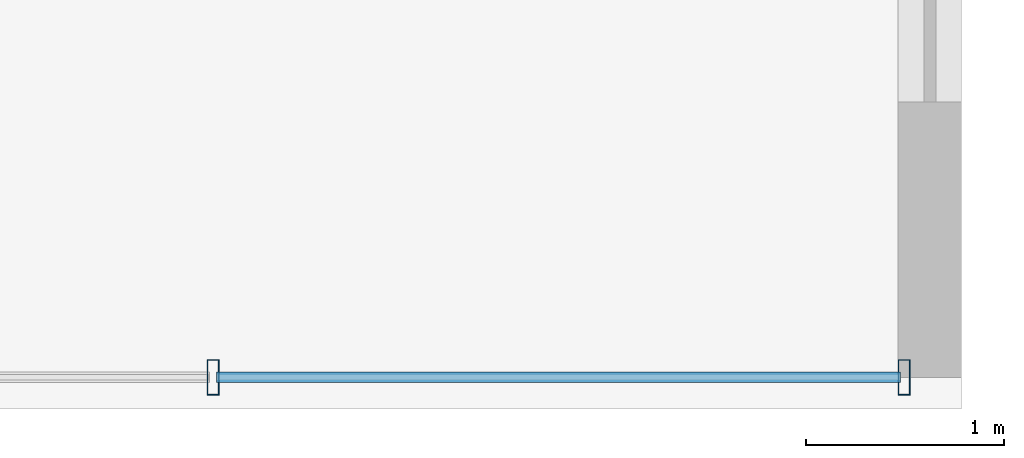
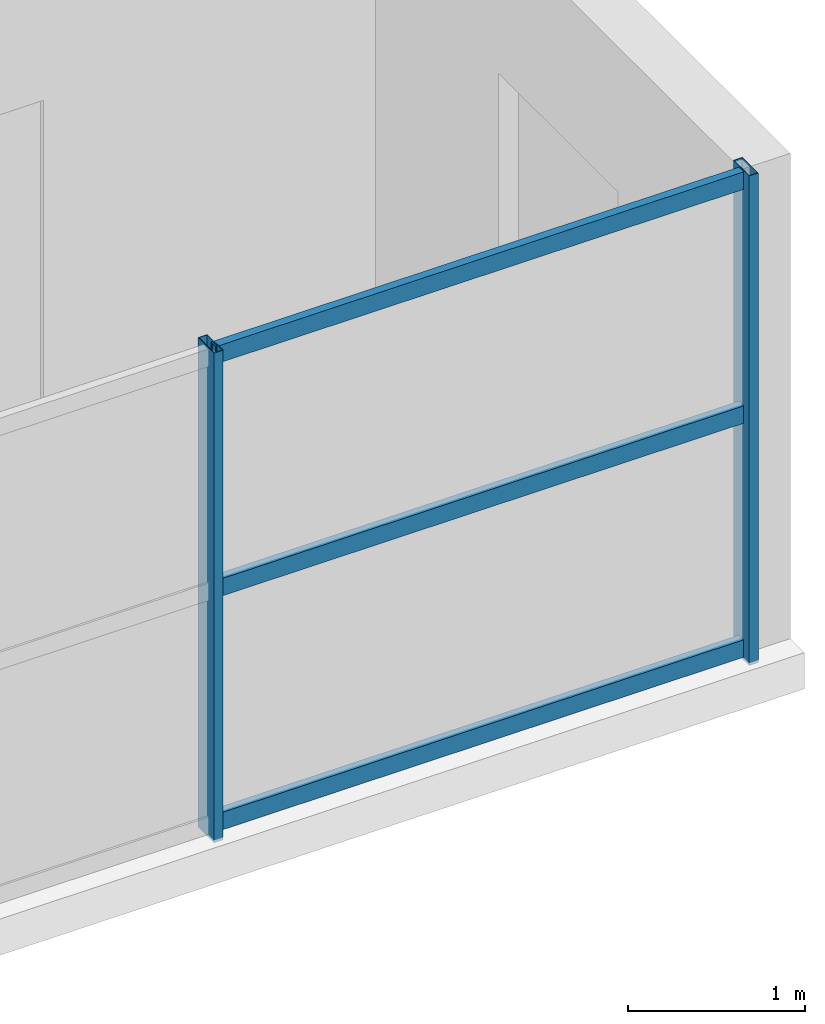
# One storey, part 4 of 12: 5 members, 1 element without a shape of its own.
"""IFC4 building model written with IfcOpenShell, lengths in metres."""

from ifc_helpers import new_model, si_unit, direction, frame, origin, origin_2d, place, context, subcontext, project, spatial, hollow_rectangle, extrude, source, transform, mapped, material, material_profile, profile_set, type_object, element, aggregate, save


model = new_model("IFC4")

# Units and contexts
model_context = context("Model", 3, precision=1e-05, world=origin(), true_north=direction((0.0, 1.0)))
body_context = subcontext(model_context, "Body", "Model", "MODEL_VIEW")
ifc_project = project(units=[si_unit("LENGTHUNIT", "METRE"), si_unit("AREAUNIT", "SQUARE_METRE"), si_unit("VOLUMEUNIT", "CUBIC_METRE"), si_unit("PLANEANGLEUNIT", "RADIAN"), si_unit("MASSUNIT", "GRAM", prefix="KILO")], contexts=[model_context])

# Site, building, storey
site_placement = place(None, origin())
site = spatial("IfcSite", under=ifc_project, at=site_placement, CompositionType="ELEMENT")
building_placement = place(site_placement, origin())
building = spatial("IfcBuilding", under=site, at=building_placement, Name="Tlacorven Tower", CompositionType="ELEMENT")
storey_placement = place(building_placement, frame((0.0, 0.0, 288.0)))
storey = spatial("IfcBuildingStorey", under=building, at=storey_placement, Name="L73", CompositionType="ELEMENT", Elevation=288.0)

# Curtain wall, members
ifc_material_1 = material(Name="Dark solar low-E double glazing in aluminium frame", Category="aluminium")
curtain_wall_type = type_object("IfcCurtainWallType", Name="CW-TWR-HIGH", PredefinedType="USERDEFINED", material=ifc_material_1)
curtain_wall_placement = place(storey_placement, origin())
curtain_wall = element("IfcCurtainWall", 1, at=curtain_wall_placement, inside=storey, type_object=curtain_wall_type, Name="L73 CW-TWR-HIGH Curtain Wall 339", ObjectType="UNITISED CURTAIN WALL", PredefinedType="USERDEFINED")
ifc_material_2 = material(Name="Aluminium 6063-T6 anodised", Category="aluminium")
ifc_material_profile_1 = material_profile(ifc_material_2, hollow_rectangle(XDim=0.06005859375, YDim=0.179931640625, WallThickness=0.00390625, at=origin_2d()), Name="ALU MULLION 60X180")
ifc_profile_set_1 = profile_set([ifc_material_profile_1], Name="Aluminium 6063-T6 anodised")
member_type_1 = type_object("IfcMemberType", Name="CWM-03", PredefinedType="MULLION", material=ifc_profile_set_1)
shared_shape_1 = source(origin(), body_context, "Body", "SweptSolid", [
    extrude(hollow_rectangle(XDim=0.06005859375, YDim=0.179931640625, WallThickness=0.00390625, at=origin_2d()), origin(), (0.0, 0.0, 1.0), 3.380126953125),
])
member_1_placement = place(storey_placement, frame((43.909912109375, 1.9599609375, -0.02001953125), z_axis=(0.0, 0.0, 1.0), x_axis=(-1.0, 0.0, 0.0)))
member_1 = element("IfcMember", 2, at=member_1_placement, type_object=member_type_1, Name="CW-L73-339 Mullion 1", PredefinedType="MULLION", context=body_context, shape_type="MappedRepresentation", body=[
    mapped(shared_shape_1, transform((0.0, 0.0, 0.0), scale=1.0)),
])
member_2_placement = place(storey_placement, frame((40.41552734375, 1.9599609375, -0.02001953125), z_axis=(0.0, 0.0, 1.0), x_axis=(-1.0, 0.0, 0.0)))
member_2 = element("IfcMember", 3, at=member_2_placement, type_object=member_type_1, Name="CW-L73-339 Mullion 2", PredefinedType="MULLION", context=body_context, shape_type="MappedRepresentation", body=[
    mapped(shared_shape_1, transform((0.0, 0.0, 0.0), scale=1.0)),
])
ifc_material_profile_2 = material_profile(ifc_material_2, hollow_rectangle(XDim=0.054931640625, YDim=0.1201171875, WallThickness=0.00341796875, at=origin_2d()), Name="ALU TRANSOM 55X120")
ifc_profile_set_2 = profile_set([ifc_material_profile_2], Name="Aluminium 6063-T6 anodised")
member_type_2 = type_object("IfcMemberType", Name="CWT-03", PredefinedType="USERDEFINED", material=ifc_profile_set_2)
shared_shape_2 = source(origin(), body_context, "Body", "SweptSolid", [
    extrude(hollow_rectangle(XDim=0.054931640625, YDim=0.1201171875, WallThickness=0.00341796875, at=origin_2d()), origin(), (0.0, 0.0, 1.0), 3.458740234375),
])
member_3_placement = place(storey_placement, frame((43.89208984375, 1.9599609375, 0.06005859375), z_axis=(-1.0, 0.0, 0.0), x_axis=(0.0, -1.0, 0.0)))
member_3 = element("IfcMember", 4, at=member_3_placement, type_object=member_type_2, Name="CW-L73-339 Transom 1", ObjectType="TRANSOM", PredefinedType="USERDEFINED", context=body_context, shape_type="MappedRepresentation", body=[
    mapped(shared_shape_2, transform((0.0, 0.0, 0.0), scale=1.0)),
])
member_4_placement = place(storey_placement, frame((43.89208984375, 1.9599609375, 1.675048828125), z_axis=(-1.0, 0.0, 0.0), x_axis=(0.0, -1.0, 0.0)))
member_4 = element("IfcMember", 5, at=member_4_placement, type_object=member_type_2, Name="CW-L73-339 Transom 2", ObjectType="TRANSOM", PredefinedType="USERDEFINED", context=body_context, shape_type="MappedRepresentation", body=[
    mapped(shared_shape_2, transform((0.0, 0.0, 0.0), scale=1.0)),
])
member_5_placement = place(storey_placement, frame((43.89208984375, 1.9599609375, 3.2900390625), z_axis=(-1.0, 0.0, 0.0), x_axis=(0.0, -1.0, 0.0)))
member_5 = element("IfcMember", 6, at=member_5_placement, type_object=member_type_2, Name="CW-L73-339 Transom 3", ObjectType="TRANSOM", PredefinedType="USERDEFINED", context=body_context, shape_type="MappedRepresentation", body=[
    mapped(shared_shape_2, transform((0.0, 0.0, 0.0), scale=1.0)),
])
aggregate(curtain_wall, [member_1, member_2, member_3, member_4, member_5])

save(model, "model.ifc")
